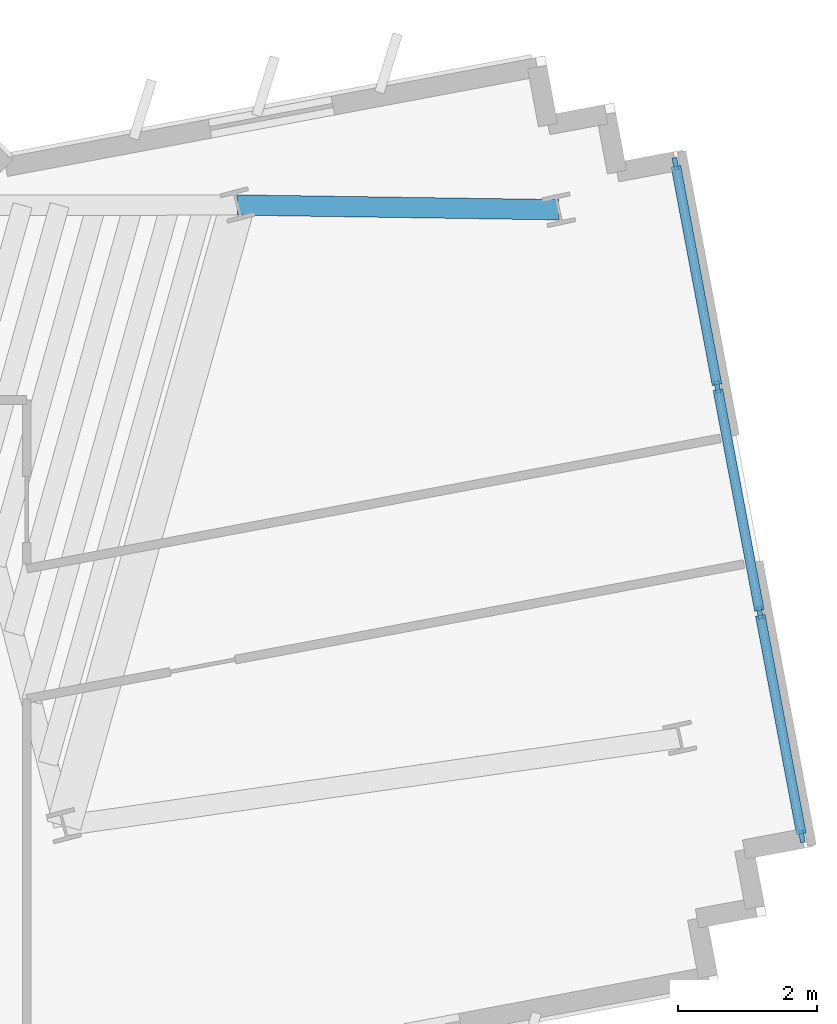
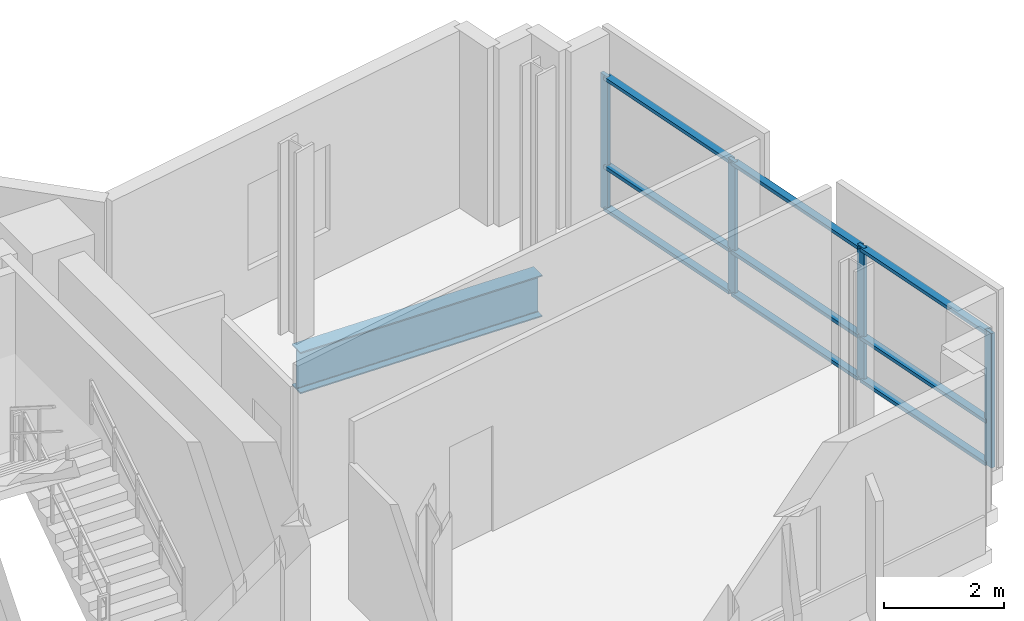
# One storey, part 6 of 16: 13 members, 1 beam, 1 element without a shape of its own.
"""IFC4 building model written with IfcOpenShell, lengths in metres."""

from ifc_helpers import new_model, si_unit, direction, frame, origin, origin_2d, place, context, subcontext, project, spatial, rectangle, i_section, extrude, source, transform, mapped, material, layer, layer_set, material_profile, profile_set, type_object, element, aggregate, save


model = new_model("IFC4")

# Units and contexts
model_context = context("Model", 3, precision=1e-05, world=origin(), true_north=direction((0.0, 1.0)))
body_context = subcontext(model_context, "Body", "Model", "MODEL_VIEW")
ifc_project = project(units=[si_unit("LENGTHUNIT", "METRE"), si_unit("AREAUNIT", "SQUARE_METRE"), si_unit("VOLUMEUNIT", "CUBIC_METRE"), si_unit("PLANEANGLEUNIT", "RADIAN"), si_unit("MASSUNIT", "GRAM", prefix="KILO")], contexts=[model_context])

# Site, building, storey
site_placement = place(None, origin())
site = spatial("IfcSite", under=ifc_project, at=site_placement, CompositionType="ELEMENT")
building_placement = place(site_placement, origin())
building = spatial("IfcBuilding", under=site, at=building_placement, Name="Zahravan Cultural Tower", CompositionType="ELEMENT")
storey_placement = place(building_placement, frame((0.0, 0.0, 147.300048828125)))
storey = spatial("IfcBuildingStorey", under=building, at=storey_placement, Name="L33", CompositionType="ELEMENT", Elevation=147.300048828125)

# Beam
ifc_material_1 = material(Name="Steel ASTM A992 Grade 50", Category="steel")
ifc_material_profile_1 = material_profile(ifc_material_1, i_section(OverallWidth=0.29296875, OverallDepth=0.845947265625, WebThickness=0.015380859375, FlangeThickness=0.0244140625, FilletRadius=0.02001953125, at=origin_2d()), Name="W33X141")
ifc_profile_set_1 = profile_set([ifc_material_profile_1], Name="Steel ASTM A992 Grade 50")
beam_type = type_object("IfcBeamType", Name="BM-G-W33X141", PredefinedType="BEAM", material=ifc_profile_set_1)
shared_shape_1 = source(origin(), body_context, "Body", "SweptSolid", [
    extrude(i_section(OverallWidth=0.29296875, OverallDepth=0.845947265625, WebThickness=0.015380859375, FlangeThickness=0.0244140625, FilletRadius=0.02001953125, at=origin_2d()), origin(), (0.0, 0.0, 1.0), 4.622314453125),
])
beam_placement = place(storey_placement, frame((55.184814453125, 36.2060546875, -0.703125), z_axis=(0.999889070044, -0.014894549562, 0.0), x_axis=(0.014894549562, 0.999889070044, 0.0)))
element("IfcBeam", 1, at=beam_placement, inside=storey, type_object=beam_type, Name="L33 Beam BG-L33-16", PredefinedType="BEAM", context=body_context, shape_type="MappedRepresentation", body=[
    mapped(shared_shape_1, transform((0.0, 0.0, 0.0), x_axis=(1.0, 0.0, 0.0), y_axis=(0.0, 1.0, 0.0), z_axis=(0.0, 0.0, 1.0), scale=1.0)),
])

# Curtain wall, members
ifc_material_2 = material(Name="Anodised bronze-aluminium mullion", Category="aluminium")
ifc_layer = layer(ifc_material_2, 0.179931640625)
ifc_layer_set = layer_set([ifc_layer], Name="Anodised bronze-aluminium mullion")
curtain_wall_type = type_object("IfcCurtainWallType", Name="CW-SYS-3", PredefinedType="USERDEFINED", material=ifc_layer_set)
curtain_wall_placement = place(storey_placement, origin())
curtain_wall = element("IfcCurtainWall", 2, at=curtain_wall_placement, inside=storey, type_object=curtain_wall_type, Name="L33 Recessed Curtain Wall CW-3.1", ObjectType="RECESSED GLAZING", PredefinedType="USERDEFINED")
ifc_material_profile_2 = material_profile(ifc_material_2, rectangle(XDim=0.070068359375, YDim=0.179931640625, at=origin_2d()), Name="AL-M70X180")
ifc_profile_set_2 = profile_set([ifc_material_profile_2], Name="Anodised bronze-aluminium mullion")
member_type_1 = type_object("IfcMemberType", Name="CWM-CW-3", PredefinedType="MULLION", material=ifc_profile_set_2)
shared_shape_2 = source(origin(), body_context, "Body", "SweptSolid", [
    extrude(rectangle(XDim=0.070068359375, YDim=0.179931640625, at=origin_2d()), origin(), (0.0, 0.0, 1.0), 2.739990234375),
])
member_1_placement = place(storey_placement, frame((61.48876953125, 36.7998046875, 0.0), z_axis=(0.0, 0.0, 1.0), x_axis=(0.982806619389, 0.184637885835, 0.0)))
member_1 = element("IfcMember", 3, at=member_1_placement, type_object=member_type_1, Name="CW-3 mullion 1", PredefinedType="MULLION", context=body_context, shape_type="MappedRepresentation", body=[
    mapped(shared_shape_2, transform((0.0, 0.0, 0.0), x_axis=(1.0, 0.0, 0.0), y_axis=(0.0, 1.0, 0.0), z_axis=(0.0, 0.0, 1.0), scale=1.0)),
])
member_2_placement = place(storey_placement, frame((62.093017578125, 33.584228515625, 0.0), z_axis=(0.0, 0.0, 1.0), x_axis=(0.982806619389, 0.184637885835, 0.0)))
member_2 = element("IfcMember", 4, at=member_2_placement, type_object=member_type_1, Name="CW-3 mullion 2", PredefinedType="MULLION", context=body_context, shape_type="MappedRepresentation", body=[
    mapped(shared_shape_2, transform((0.0, 0.0, 0.0), x_axis=(1.0, 0.0, 0.0), y_axis=(0.0, 1.0, 0.0), z_axis=(0.0, 0.0, 1.0), scale=1.0)),
])
member_3_placement = place(storey_placement, frame((62.703369140625, 30.33447265625, 0.0), z_axis=(0.0, 0.0, 1.0), x_axis=(0.982806619389, 0.184637885835, 0.0)))
member_3 = element("IfcMember", 5, at=member_3_placement, type_object=member_type_1, Name="CW-3 mullion 3", PredefinedType="MULLION", context=body_context, shape_type="MappedRepresentation", body=[
    mapped(shared_shape_2, transform((0.0, 0.0, 0.0), x_axis=(1.0, 0.0, 0.0), y_axis=(0.0, 1.0, 0.0), z_axis=(0.0, 0.0, 1.0), scale=1.0)),
])
member_4_placement = place(storey_placement, frame((63.3076171875, 27.119140625, 0.0), z_axis=(0.0, 0.0, 1.0), x_axis=(0.982806619389, 0.184637885835, 0.0)))
member_4 = element("IfcMember", 6, at=member_4_placement, type_object=member_type_1, Name="CW-3 mullion 4", PredefinedType="MULLION", context=body_context, shape_type="MappedRepresentation", body=[
    mapped(shared_shape_2, transform((0.0, 0.0, 0.0), x_axis=(1.0, 0.0, 0.0), y_axis=(0.0, 1.0, 0.0), z_axis=(0.0, 0.0, 1.0), scale=1.0)),
])
ifc_material_profile_3 = material_profile(ifc_material_2, rectangle(XDim=0.139892578125, YDim=0.070068359375, at=origin_2d()), Name="AL-T70X140")
ifc_profile_set_3 = profile_set([ifc_material_profile_3], Name="Anodised bronze-aluminium mullion")
member_type_2 = type_object("IfcMemberType", Name="CWT-CW-3", PredefinedType="USERDEFINED", material=ifc_profile_set_3)
shared_shape_3 = source(origin(), body_context, "Body", "SweptSolid", [
    extrude(rectangle(XDim=0.139892578125, YDim=0.070068359375, at=origin_2d()), origin(), (0.0, 0.0, 1.0), 3.20166015625),
])
member_5_placement = place(storey_placement, frame((61.495361328125, 36.765380859375, 0.034912109375), z_axis=(0.18460619431, -0.982812572682, 0.0), x_axis=(0.982812572682, 0.18460619431, 0.0)))
member_5 = element("IfcMember", 7, at=member_5_placement, type_object=member_type_2, Name="CW-3 transom 1.1", ObjectType="TRANSOM", PredefinedType="USERDEFINED", context=body_context, shape_type="MappedRepresentation", body=[
    mapped(shared_shape_3, transform((0.0, 0.0, 0.0), x_axis=(1.0, 0.0, 0.0), y_axis=(0.0, 1.0, 0.0), z_axis=(0.0, 0.0, 1.0), scale=1.0)),
])
member_6_placement = place(storey_placement, frame((61.495361328125, 36.765380859375, 0.89990234375), z_axis=(0.18460619431, -0.982812572682, 0.0), x_axis=(0.982812572682, 0.18460619431, 0.0)))
member_6 = element("IfcMember", 8, at=member_6_placement, type_object=member_type_2, Name="CW-3 transom 1.2", ObjectType="TRANSOM", PredefinedType="USERDEFINED", context=body_context, shape_type="MappedRepresentation", body=[
    mapped(shared_shape_3, transform((0.0, 0.0, 0.0), x_axis=(1.0, 0.0, 0.0), y_axis=(0.0, 1.0, 0.0), z_axis=(0.0, 0.0, 1.0), scale=1.0)),
])
member_7_placement = place(storey_placement, frame((61.495361328125, 36.765380859375, 2.704833984375), z_axis=(0.18460619431, -0.982812572682, 0.0), x_axis=(0.982812572682, 0.18460619431, 0.0)))
member_7 = element("IfcMember", 9, at=member_7_placement, type_object=member_type_2, Name="CW-3 transom 1.3", ObjectType="TRANSOM", PredefinedType="USERDEFINED", context=body_context, shape_type="MappedRepresentation", body=[
    mapped(shared_shape_3, transform((0.0, 0.0, 0.0), x_axis=(1.0, 0.0, 0.0), y_axis=(0.0, 1.0, 0.0), z_axis=(0.0, 0.0, 1.0), scale=1.0)),
])
shared_shape_4 = source(origin(), body_context, "Body", "SweptSolid", [
    extrude(rectangle(XDim=0.139892578125, YDim=0.070068359375, at=origin_2d()), origin(), (0.0, 0.0, 1.0), 3.236572265625),
])
member_8_placement = place(storey_placement, frame((62.099365234375, 33.5498046875, 0.034912109375), z_axis=(0.184657427029, -0.982802948023, 0.0), x_axis=(0.982802948023, 0.184657427029, 0.0)))
member_8 = element("IfcMember", 10, at=member_8_placement, type_object=member_type_2, Name="CW-3 transom 2.1", ObjectType="TRANSOM", PredefinedType="USERDEFINED", context=body_context, shape_type="MappedRepresentation", body=[
    mapped(shared_shape_4, transform((0.0, 0.0, 0.0), x_axis=(1.0, 0.0, 0.0), y_axis=(0.0, 1.0, 0.0), z_axis=(0.0, 0.0, 1.0), scale=1.0)),
])
member_9_placement = place(storey_placement, frame((62.099365234375, 33.5498046875, 0.89990234375), z_axis=(0.184657427029, -0.982802948023, 0.0), x_axis=(0.982802948023, 0.184657427029, 0.0)))
member_9 = element("IfcMember", 11, at=member_9_placement, type_object=member_type_2, Name="CW-3 transom 2.2", ObjectType="TRANSOM", PredefinedType="USERDEFINED", context=body_context, shape_type="MappedRepresentation", body=[
    mapped(shared_shape_4, transform((0.0, 0.0, 0.0), x_axis=(1.0, 0.0, 0.0), y_axis=(0.0, 1.0, 0.0), z_axis=(0.0, 0.0, 1.0), scale=1.0)),
])
member_10_placement = place(storey_placement, frame((62.099365234375, 33.5498046875, 2.704833984375), z_axis=(0.184657427029, -0.982802948023, 0.0), x_axis=(0.982802948023, 0.184657427029, 0.0)))
member_10 = element("IfcMember", 12, at=member_10_placement, type_object=member_type_2, Name="CW-3 transom 2.3", ObjectType="TRANSOM", PredefinedType="USERDEFINED", context=body_context, shape_type="MappedRepresentation", body=[
    mapped(shared_shape_4, transform((0.0, 0.0, 0.0), x_axis=(1.0, 0.0, 0.0), y_axis=(0.0, 1.0, 0.0), z_axis=(0.0, 0.0, 1.0), scale=1.0)),
])
shared_shape_5 = source(origin(), body_context, "Body", "SweptSolid", [
    extrude(rectangle(XDim=0.139892578125, YDim=0.070068359375, at=origin_2d()), origin(), (0.0, 0.0, 1.0), 3.201416015625),
])
member_11_placement = place(storey_placement, frame((62.7099609375, 30.300048828125, 0.034912109375), z_axis=(0.184620029988, -0.982809973763, 0.0), x_axis=(0.982809973763, 0.184620029988, 0.0)))
member_11 = element("IfcMember", 13, at=member_11_placement, type_object=member_type_2, Name="CW-3 transom 3.1", ObjectType="TRANSOM", PredefinedType="USERDEFINED", context=body_context, shape_type="MappedRepresentation", body=[
    mapped(shared_shape_5, transform((0.0, 0.0, 0.0), x_axis=(1.0, 0.0, 0.0), y_axis=(0.0, 1.0, 0.0), z_axis=(0.0, 0.0, 1.0), scale=1.0)),
])
member_12_placement = place(storey_placement, frame((62.7099609375, 30.300048828125, 0.89990234375), z_axis=(0.184620029988, -0.982809973763, 0.0), x_axis=(0.982809973763, 0.184620029988, 0.0)))
member_12 = element("IfcMember", 14, at=member_12_placement, type_object=member_type_2, Name="CW-3 transom 3.2", ObjectType="TRANSOM", PredefinedType="USERDEFINED", context=body_context, shape_type="MappedRepresentation", body=[
    mapped(shared_shape_5, transform((0.0, 0.0, 0.0), x_axis=(1.0, 0.0, 0.0), y_axis=(0.0, 1.0, 0.0), z_axis=(0.0, 0.0, 1.0), scale=1.0)),
])
member_13_placement = place(storey_placement, frame((62.7099609375, 30.300048828125, 2.704833984375), z_axis=(0.184620029988, -0.982809973763, 0.0), x_axis=(0.982809973763, 0.184620029988, 0.0)))
member_13 = element("IfcMember", 15, at=member_13_placement, type_object=member_type_2, Name="CW-3 transom 3.3", ObjectType="TRANSOM", PredefinedType="USERDEFINED", context=body_context, shape_type="MappedRepresentation", body=[
    mapped(shared_shape_5, transform((0.0, 0.0, 0.0), x_axis=(1.0, 0.0, 0.0), y_axis=(0.0, 1.0, 0.0), z_axis=(0.0, 0.0, 1.0), scale=1.0)),
])
aggregate(curtain_wall, [member_1, member_2, member_3, member_4, member_5, member_6, member_7, member_8, member_9, member_10, member_11, member_12, member_13])

save(model, "model.ifc")
